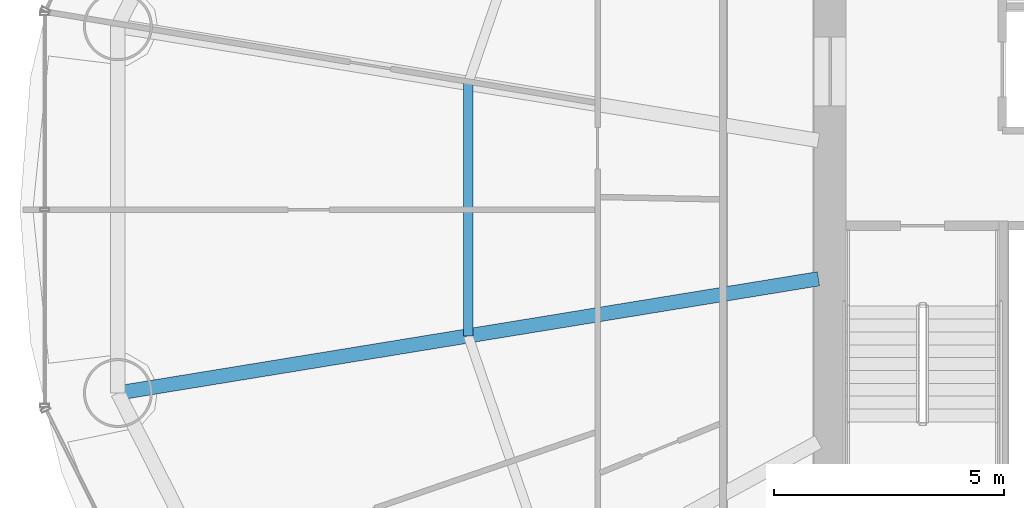
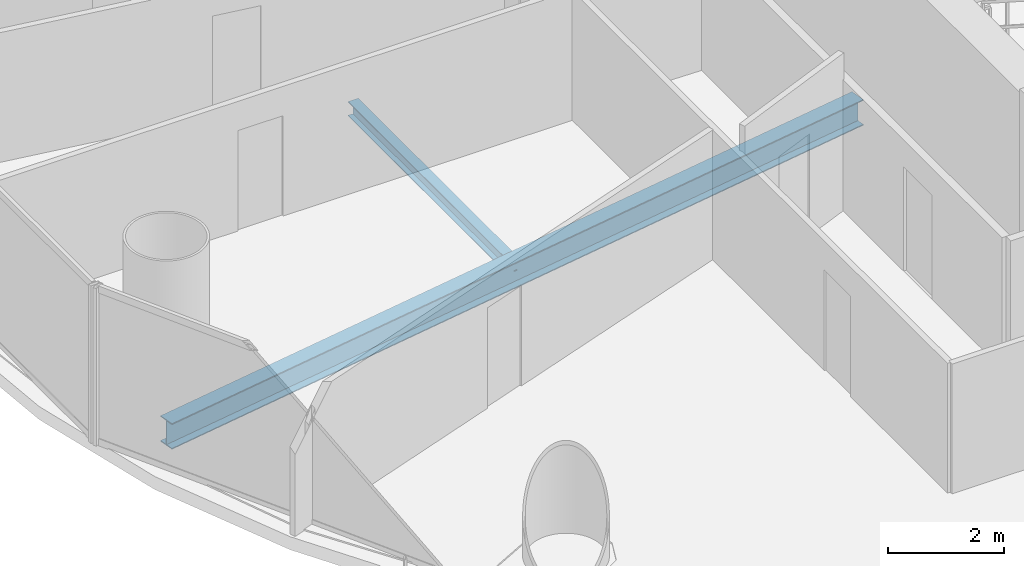
# One storey, part 8 of 29: 2 beams.
"""IFC4 building model written with IfcOpenShell, lengths in metres."""

from ifc_helpers import new_model, si_unit, direction, frame, origin, origin_2d, place, context, subcontext, project, spatial, i_section, extrude, material, material_profile, profile_set, type_object, element, save


model = new_model("IFC4")

# Units and contexts
model_context = context("Model", 3, precision=1e-05, world=origin(), true_north=direction((-0.2419218956, 0.970295726276)))
body_context = subcontext(model_context, "Body", "Model", "MODEL_VIEW")
ifc_project = project(units=[si_unit("LENGTHUNIT", "METRE"), si_unit("AREAUNIT", "SQUARE_METRE"), si_unit("VOLUMEUNIT", "CUBIC_METRE"), si_unit("PLANEANGLEUNIT", "RADIAN"), si_unit("MASSUNIT", "GRAM", prefix="KILO")], contexts=[model_context])

# Site, building, storey
site_placement = place(None, origin())
site = spatial("IfcSite", under=ifc_project, at=site_placement, CompositionType="ELEMENT")
building_placement = place(site_placement, origin())
building = spatial("IfcBuilding", under=site, at=building_placement, Name="Cobrevalo Terracotta Tower", CompositionType="ELEMENT")
storey_placement = place(building_placement, frame((0.0, 0.0, 112.199951171875)))
storey = spatial("IfcBuildingStorey", under=building, at=storey_placement, Name="L29", CompositionType="ELEMENT", Elevation=112.199951171875)

# Beams
ifc_material = material(Name="Steel S355", Category="steel")
ifc_material_profile_1 = material_profile(ifc_material, i_section(OverallWidth=0.31201171875, OverallDepth=0.54296875, WebThickness=0.0126953125, FlangeThickness=0.020263671875, at=origin_2d()), Name="W 530x150")
ifc_profile_set_1 = profile_set([ifc_material_profile_1], Name="Steel S355")
beam_type_1 = type_object("IfcBeamType", Name="Structural Beam W 530x150 (Steel S355)", PredefinedType="BEAM", material=ifc_profile_set_1)
beam_1_placement = place(storey_placement, frame((13.529296875, 22.810302734375, -0.54638671875), z_axis=(0.986968056587, 0.160916298977, 0.0), x_axis=(-0.160916298977, 0.986968056587, 0.0)))
element("IfcBeam", 1, at=beam_1_placement, inside=storey, type_object=beam_type_1, Name="L29 radial floor girder 09", PredefinedType="BEAM", context=body_context, shape_type="SweptSolid", body=[
    extrude(i_section(OverallWidth=0.31201171875, OverallDepth=0.54296875, WebThickness=0.0126953125, FlangeThickness=0.020263671875, at=origin_2d()), origin(), (0.0, 0.0, 1.0), 15.44189453125),
])
ifc_material_profile_2 = material_profile(ifc_material, i_section(OverallWidth=0.2041015625, OverallDepth=0.305908203125, WebThickness=0.008544921875, FlangeThickness=0.0146484375, at=origin_2d()), Name="W 310x67")
ifc_profile_set_2 = profile_set([ifc_material_profile_2], Name="Steel S355")
beam_type_2 = type_object("IfcBeamType", Name="Structural Joist W 310x67 (Steel S355)", PredefinedType="JOIST", material=ifc_profile_set_2)
beam_2_placement = place(storey_placement, frame((21.149658203125, 29.547119140625, -0.427978515625), z_axis=(0.0, -1.0, 0.0), x_axis=(1.0, 0.0, 0.0)))
element("IfcBeam", 2, at=beam_2_placement, inside=storey, type_object=beam_type_2, Name="L29 circumferential secondary floor joist 08", PredefinedType="JOIST", context=body_context, shape_type="SweptSolid", body=[
    extrude(i_section(OverallWidth=0.2041015625, OverallDepth=0.305908203125, WebThickness=0.008544921875, FlangeThickness=0.0146484375, at=origin_2d()), origin(), (0.0, 0.0, 1.0), 5.494384765625),
])

save(model, "model.ifc")
